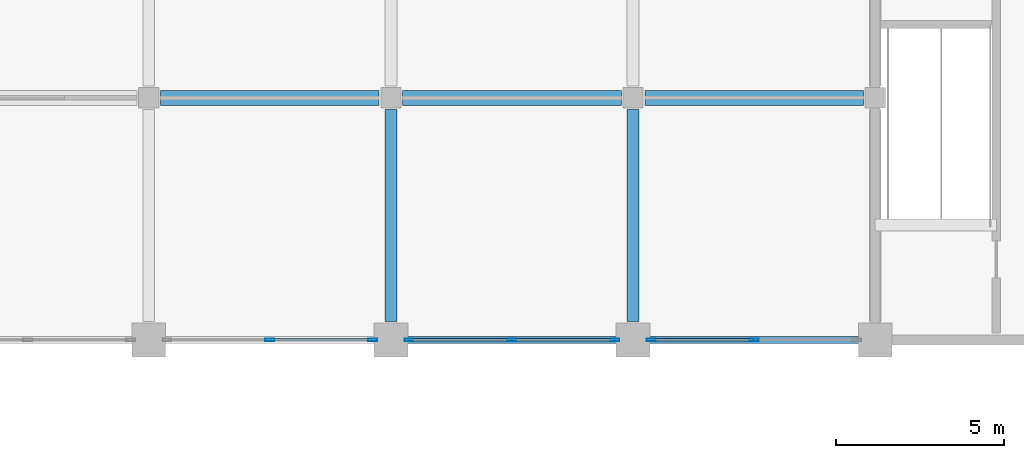
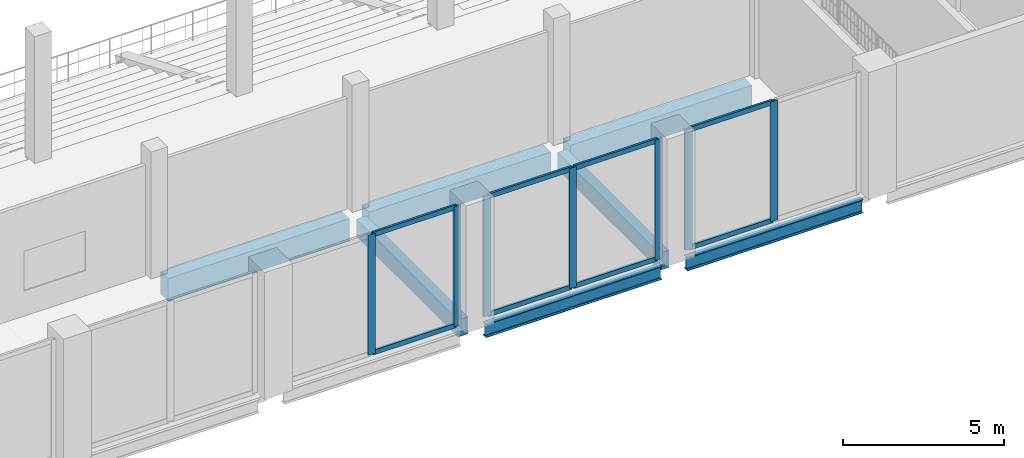
# One storey, part 9 of 99: 15 members, 7 beams, 3 elements without a shape of their own.
"""IFC4 building model written with IfcOpenShell, lengths in metres."""

from ifc_helpers import new_model, si_unit, direction, frame, origin, origin_2d, place, context, subcontext, project, spatial, rectangle, hollow_rectangle, i_section, extrude, material, material_profile, profile_set, type_object, element, aggregate, save


model = new_model("IFC4")

# Units and contexts
model_context = context("Model", 3, precision=1e-05, world=origin(), true_north=direction((0.0, 1.0)))
body_context = subcontext(model_context, "Body", "Model", "MODEL_VIEW")
ifc_project = project(units=[si_unit("LENGTHUNIT", "METRE"), si_unit("AREAUNIT", "SQUARE_METRE"), si_unit("VOLUMEUNIT", "CUBIC_METRE"), si_unit("PLANEANGLEUNIT", "RADIAN"), si_unit("MASSUNIT", "GRAM", prefix="KILO")], contexts=[model_context])

# Site, building, storey
site_placement = place(None, origin())
site = spatial("IfcSite", under=ifc_project, at=site_placement, CompositionType="ELEMENT")
building_placement = place(site_placement, origin())
building = spatial("IfcBuilding", under=site, at=building_placement, Name="Vesperath Aquatics Centre", CompositionType="ELEMENT")
storey_placement = place(building_placement, frame((0.0, 0.0, 5.39990234375)))
storey = spatial("IfcBuildingStorey", under=building, at=storey_placement, Name="L01", CompositionType="ELEMENT", Elevation=5.39990234375)

# Beams
ifc_material_1 = material(Name="Concrete C35", Category="concrete")
ifc_material_profile_1 = material_profile(ifc_material_1, rectangle(XDim=0.449951171875, YDim=0.85009765625, at=origin_2d()), Name="RC 450x850")
ifc_profile_set_1 = profile_set([ifc_material_profile_1], Name="Concrete C35")
beam_type_1 = type_object("IfcBeamType", Name="BM-G03", PredefinedType="BEAM", material=ifc_profile_set_1)
for number, where, z_axis, x_axis, name in (
    (1, (29.14990234375, 21.60009765625, -0.684814453125), (1.0, 0.0, 0.0), (0.0, 1.0, 0.0), "Floor Girder B03 L01 D 5-6"),
    (2, (36.35009765625, 21.60009765625, -0.684814453125), (1.0, 0.0, 0.0), (0.0, 1.0, 0.0), "Floor Girder B03 L01 D 6-7"),
    (3, (43.550048828125, 21.60009765625, -0.684814453125), (1.0, 0.0, 0.0), (0.0, 1.0, 0.0), "Floor Girder B03 L01 D 7-8"),
):
    element("IfcBeam", number, at=place(storey_placement, frame(where, z_axis=z_axis, x_axis=x_axis)), inside=storey, type_object=beam_type_1, Name=name, PredefinedType="BEAM", context=body_context, shape_type="SweptSolid", body=[
        extrude(rectangle(XDim=0.449951171875, YDim=0.85009765625, at=origin_2d()), origin(), (0.0, 0.0, 1.0), 6.5),
    ])
ifc_material_profile_2 = material_profile(ifc_material_1, rectangle(XDim=0.35009765625, YDim=0.64990234375, at=origin_2d()), Name="RC 350x650")
ifc_profile_set_2 = profile_set([ifc_material_profile_2], Name="Concrete C35")
beam_type_2 = type_object("IfcBeamType", Name="BM-G05", PredefinedType="BEAM", material=ifc_profile_set_2)
for number, where, z_axis, x_axis, name in (
    (4, (36.0, 14.949951171875, -0.5849609375), (0.0, 1.0, 0.0), (-1.0, 0.0, 0.0), "Floor Girder B05 L01 6 C-D"),
    (5, (43.199951171875, 14.949951171875, -0.5849609375), (0.0, 1.0, 0.0), (-1.0, 0.0, 0.0), "Floor Girder B05 L01 7 C-D"),
):
    element("IfcBeam", number, at=place(storey_placement, frame(where, z_axis=z_axis, x_axis=x_axis)), inside=storey, type_object=beam_type_2, Name=name, PredefinedType="BEAM", context=body_context, shape_type="SweptSolid", body=[
        extrude(rectangle(XDim=0.35009765625, YDim=0.64990234375, at=origin_2d()), origin(), (0.0, 0.0, 1.0), 6.300048828125),
    ])
ifc_material_2 = material(Name="Steel Q355D", Category="steel")
ifc_material_profile_3 = material_profile(ifc_material_2, i_section(OverallWidth=0.199951171875, OverallDepth=0.5, WebThickness=0.010009765625, FlangeThickness=0.01611328125, FilletRadius=0.02001953125, at=origin_2d()), Name="HN 500x200x10x16")
ifc_profile_set_3 = profile_set([ifc_material_profile_3], Name="Steel Q355D")
beam_type_3 = type_object("IfcBeamType", Name="BM-SP01", PredefinedType="SPANDREL", material=ifc_profile_set_3)
for number, where, z_axis, x_axis, name in (
    (6, (36.449951171875, 14.39990234375, -0.510009765625), (1.0, 0.0, 0.0), (0.0, 1.0, 0.0), "Floor Girder SP01 L01 C 6-7"),
    (7, (43.64990234375, 14.39990234375, -0.510009765625), (1.0, 0.0, 0.0), (0.0, 1.0, 0.0), "Floor Girder SP01 L01 C 7-8"),
):
    element("IfcBeam", number, at=place(storey_placement, frame(where, z_axis=z_axis, x_axis=x_axis)), inside=storey, type_object=beam_type_3, Name=name, PredefinedType="SPANDREL", context=body_context, shape_type="SweptSolid", body=[
        extrude(i_section(OverallWidth=0.199951171875, OverallDepth=0.5, WebThickness=0.010009765625, FlangeThickness=0.01611328125, FilletRadius=0.02001953125, at=origin_2d()), origin(), (0.0, 0.0, 1.0), 6.300048828125),
    ])

# Curtain wall, members
ifc_material_3 = material(Name="Thermally broken anodised bronze aluminium curtain wall", Category="aluminium")
curtain_wall_type = type_object("IfcCurtainWallType", Name="CW-02", PredefinedType="NOTDEFINED", material=ifc_material_3)
curtain_wall_1_placement = place(storey_placement, origin())
curtain_wall_1 = element("IfcCurtainWall", 8, at=curtain_wall_1_placement, inside=storey, type_object=curtain_wall_type, Name="Facade Curtain Wall CW02 L01_S_04_02", PredefinedType="NOTDEFINED")
ifc_material_4 = material(Name="Thermally broken anodised aluminium", Category="aluminium")
ifc_material_profile_4 = material_profile(ifc_material_4, hollow_rectangle(XDim=0.074951171875, YDim=0.260009765625, WallThickness=0.006103515625, at=origin_2d()), Name="CWM 75x260x6")
ifc_profile_set_4 = profile_set([ifc_material_profile_4], Name="Thermally broken anodised aluminium")
member_type_1 = type_object("IfcMemberType", Name="MB-CWM1", PredefinedType="MULLION", material=ifc_profile_set_4)
member_1_placement = place(storey_placement, frame((32.39990234375, 14.39990234375, 0.0), z_axis=(0.0, 0.0, 1.0), x_axis=(0.0, 1.0, 0.0)))
member_1 = element("IfcMember", 9, at=member_1_placement, type_object=member_type_1, Name="CW02 mullion 2", PredefinedType="MULLION", context=body_context, shape_type="SweptSolid", body=[
    extrude(hollow_rectangle(XDim=0.074951171875, YDim=0.260009765625, WallThickness=0.006103515625, at=origin_2d()), origin(), (0.0, 0.0, 1.0), 4.5400390625),
])
member_2_placement = place(storey_placement, frame((35.46240234375, 14.39990234375, 0.0), z_axis=(0.0, 0.0, 1.0), x_axis=(0.0, 1.0, 0.0)))
member_2 = element("IfcMember", 10, at=member_2_placement, type_object=member_type_1, Name="CW02 mullion 3", PredefinedType="MULLION", context=body_context, shape_type="SweptSolid", body=[
    extrude(hollow_rectangle(XDim=0.074951171875, YDim=0.260009765625, WallThickness=0.006103515625, at=origin_2d()), origin(), (0.0, 0.0, 1.0), 4.5400390625),
])

curtain_wall_2_placement = place(storey_placement, origin())
curtain_wall_2 = element("IfcCurtainWall", 11, at=curtain_wall_2_placement, inside=storey, type_object=curtain_wall_type, Name="Facade Curtain Wall CW02 L01_S_05_02", PredefinedType="NOTDEFINED")
member_3_placement = place(storey_placement, frame((36.53759765625, 14.39990234375, 0.0), z_axis=(0.0, 0.0, 1.0), x_axis=(0.0, 1.0, 0.0)))
member_3 = element("IfcMember", 12, at=member_3_placement, type_object=member_type_1, Name="CW02 mullion 1", PredefinedType="MULLION", context=body_context, shape_type="SweptSolid", body=[
    extrude(hollow_rectangle(XDim=0.074951171875, YDim=0.260009765625, WallThickness=0.006103515625, at=origin_2d()), origin(), (0.0, 0.0, 1.0), 4.5400390625),
])
member_4_placement = place(storey_placement, frame((39.60009765625, 14.39990234375, 0.0), z_axis=(0.0, 0.0, 1.0), x_axis=(0.0, 1.0, 0.0)))
member_4 = element("IfcMember", 13, at=member_4_placement, type_object=member_type_1, Name="CW02 mullion 2", PredefinedType="MULLION", context=body_context, shape_type="SweptSolid", body=[
    extrude(hollow_rectangle(XDim=0.074951171875, YDim=0.260009765625, WallThickness=0.006103515625, at=origin_2d()), origin(), (0.0, 0.0, 1.0), 4.5400390625),
])
member_5_placement = place(storey_placement, frame((42.66259765625, 14.39990234375, 0.0), z_axis=(0.0, 0.0, 1.0), x_axis=(0.0, 1.0, 0.0)))
member_5 = element("IfcMember", 14, at=member_5_placement, type_object=member_type_1, Name="CW02 mullion 3", PredefinedType="MULLION", context=body_context, shape_type="SweptSolid", body=[
    extrude(hollow_rectangle(XDim=0.074951171875, YDim=0.260009765625, WallThickness=0.006103515625, at=origin_2d()), origin(), (0.0, 0.0, 1.0), 4.5400390625),
])

curtain_wall_3_placement = place(storey_placement, origin())
curtain_wall_3 = element("IfcCurtainWall", 15, at=curtain_wall_3_placement, inside=storey, type_object=curtain_wall_type, Name="Facade Curtain Wall CW02 L01_S_06_02", PredefinedType="NOTDEFINED")
member_6_placement = place(storey_placement, frame((43.737548828125, 14.39990234375, 0.0), z_axis=(0.0, 0.0, 1.0), x_axis=(0.0, 1.0, 0.0)))
member_6 = element("IfcMember", 16, at=member_6_placement, type_object=member_type_1, Name="CW02 mullion 1", PredefinedType="MULLION", context=body_context, shape_type="SweptSolid", body=[
    extrude(hollow_rectangle(XDim=0.074951171875, YDim=0.260009765625, WallThickness=0.006103515625, at=origin_2d()), origin(), (0.0, 0.0, 1.0), 4.5400390625),
])
member_7_placement = place(storey_placement, frame((46.800048828125, 14.39990234375, 0.0), z_axis=(0.0, 0.0, 1.0), x_axis=(0.0, 1.0, 0.0)))
member_7 = element("IfcMember", 17, at=member_7_placement, type_object=member_type_1, Name="CW02 mullion 2", PredefinedType="MULLION", context=body_context, shape_type="SweptSolid", body=[
    extrude(hollow_rectangle(XDim=0.074951171875, YDim=0.260009765625, WallThickness=0.006103515625, at=origin_2d()), origin(), (0.0, 0.0, 1.0), 4.5400390625),
])

# Member
ifc_material_profile_5 = material_profile(ifc_material_4, hollow_rectangle(XDim=0.074951171875, YDim=0.179931640625, WallThickness=0.0048828125, at=origin_2d()), Name="CWT 75x180x5")
ifc_profile_set_5 = profile_set([ifc_material_profile_5], Name="Thermally broken anodised aluminium")
member_type_2 = type_object("IfcMemberType", Name="MB-CWT1", PredefinedType="USERDEFINED", material=ifc_profile_set_5)
member_8_placement = place(storey_placement, frame((32.4375, 14.39990234375, 0.03759765625), z_axis=(1.0, 0.0, 0.0), x_axis=(0.0, 1.0, 0.0)))
member_8 = element("IfcMember", 18, at=member_8_placement, type_object=member_type_2, Name="CW02 transom 2.1", ObjectType="TRANSOM", PredefinedType="USERDEFINED", context=body_context, shape_type="SweptSolid", body=[
    extrude(hollow_rectangle(XDim=0.074951171875, YDim=0.179931640625, WallThickness=0.0048828125, at=origin_2d()), origin(), (0.0, 0.0, 1.0), 2.987548828125),
])

member_9_placement = place(storey_placement, frame((32.4375, 14.39990234375, 4.502685546875), z_axis=(1.0, 0.0, 0.0), x_axis=(0.0, 1.0, 0.0)))
member_9 = element("IfcMember", 19, at=member_9_placement, type_object=member_type_2, Name="CW02 transom 2.2", ObjectType="TRANSOM", PredefinedType="USERDEFINED", context=body_context, shape_type="SweptSolid", body=[
    extrude(hollow_rectangle(XDim=0.074951171875, YDim=0.179931640625, WallThickness=0.0048828125, at=origin_2d()), origin(), (0.0, 0.0, 1.0), 2.987548828125),
])

aggregate(curtain_wall_1, [member_1, member_2, member_8, member_9])

member_10_placement = place(storey_placement, frame((36.574951171875, 14.39990234375, 0.03759765625), z_axis=(1.0, 0.0, 0.0), x_axis=(0.0, 1.0, 0.0)))
member_10 = element("IfcMember", 20, at=member_10_placement, type_object=member_type_2, Name="CW02 transom 1.1", ObjectType="TRANSOM", PredefinedType="USERDEFINED", context=body_context, shape_type="SweptSolid", body=[
    extrude(hollow_rectangle(XDim=0.074951171875, YDim=0.179931640625, WallThickness=0.0048828125, at=origin_2d()), origin(), (0.0, 0.0, 1.0), 2.987548828125),
])

member_11_placement = place(storey_placement, frame((36.574951171875, 14.39990234375, 4.502685546875), z_axis=(1.0, 0.0, 0.0), x_axis=(0.0, 1.0, 0.0)))
member_11 = element("IfcMember", 21, at=member_11_placement, type_object=member_type_2, Name="CW02 transom 1.2", ObjectType="TRANSOM", PredefinedType="USERDEFINED", context=body_context, shape_type="SweptSolid", body=[
    extrude(hollow_rectangle(XDim=0.074951171875, YDim=0.179931640625, WallThickness=0.0048828125, at=origin_2d()), origin(), (0.0, 0.0, 1.0), 2.987548828125),
])

member_12_placement = place(storey_placement, frame((39.637451171875, 14.39990234375, 0.03759765625), z_axis=(1.0, 0.0, 0.0), x_axis=(0.0, 1.0, 0.0)))
member_12 = element("IfcMember", 22, at=member_12_placement, type_object=member_type_2, Name="CW02 transom 2.1", ObjectType="TRANSOM", PredefinedType="USERDEFINED", context=body_context, shape_type="SweptSolid", body=[
    extrude(hollow_rectangle(XDim=0.074951171875, YDim=0.179931640625, WallThickness=0.0048828125, at=origin_2d()), origin(), (0.0, 0.0, 1.0), 2.987548828125),
])

member_13_placement = place(storey_placement, frame((39.637451171875, 14.39990234375, 4.502685546875), z_axis=(1.0, 0.0, 0.0), x_axis=(0.0, 1.0, 0.0)))
member_13 = element("IfcMember", 23, at=member_13_placement, type_object=member_type_2, Name="CW02 transom 2.2", ObjectType="TRANSOM", PredefinedType="USERDEFINED", context=body_context, shape_type="SweptSolid", body=[
    extrude(hollow_rectangle(XDim=0.074951171875, YDim=0.179931640625, WallThickness=0.0048828125, at=origin_2d()), origin(), (0.0, 0.0, 1.0), 2.987548828125),
])

aggregate(curtain_wall_2, [member_3, member_4, member_5, member_10, member_11, member_12, member_13])

member_14_placement = place(storey_placement, frame((43.77490234375, 14.39990234375, 0.03759765625), z_axis=(1.0, 0.0, 0.0), x_axis=(0.0, 1.0, 0.0)))
member_14 = element("IfcMember", 24, at=member_14_placement, type_object=member_type_2, Name="CW02 transom 1.1", ObjectType="TRANSOM", PredefinedType="USERDEFINED", context=body_context, shape_type="SweptSolid", body=[
    extrude(hollow_rectangle(XDim=0.074951171875, YDim=0.179931640625, WallThickness=0.0048828125, at=origin_2d()), origin(), (0.0, 0.0, 1.0), 2.987548828125),
])

member_15_placement = place(storey_placement, frame((43.77490234375, 14.39990234375, 4.502685546875), z_axis=(1.0, 0.0, 0.0), x_axis=(0.0, 1.0, 0.0)))
member_15 = element("IfcMember", 25, at=member_15_placement, type_object=member_type_2, Name="CW02 transom 1.2", ObjectType="TRANSOM", PredefinedType="USERDEFINED", context=body_context, shape_type="SweptSolid", body=[
    extrude(hollow_rectangle(XDim=0.074951171875, YDim=0.179931640625, WallThickness=0.0048828125, at=origin_2d()), origin(), (0.0, 0.0, 1.0), 2.987548828125),
])

aggregate(curtain_wall_3, [member_6, member_7, member_14, member_15])

save(model, "model.ifc")
